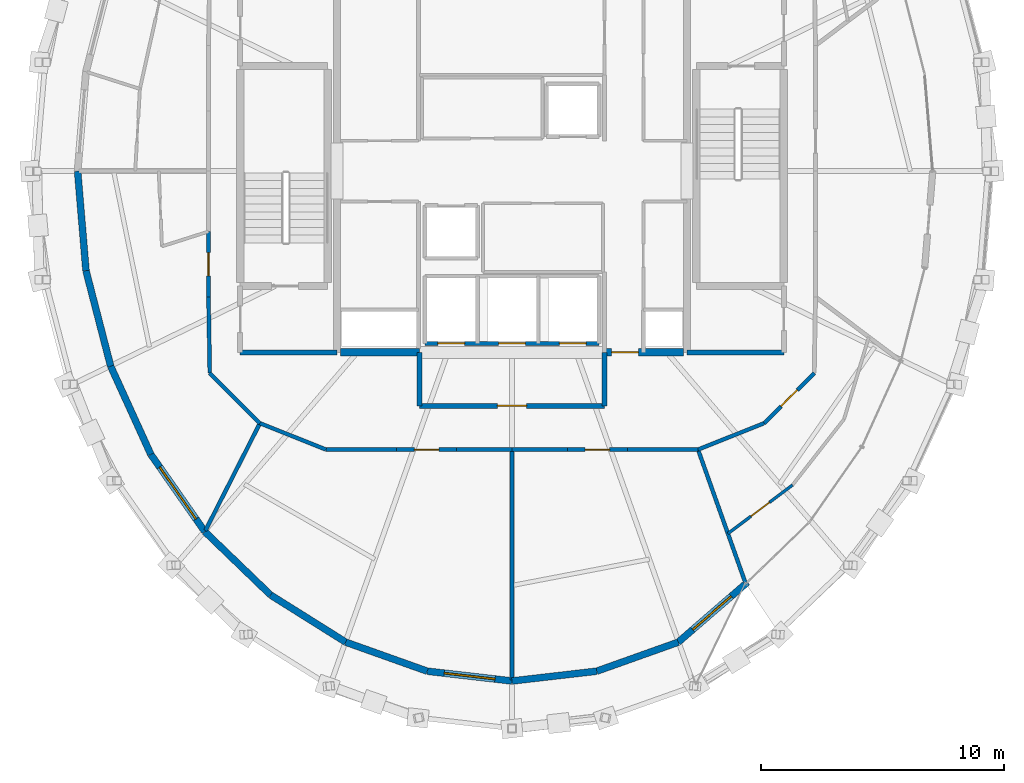
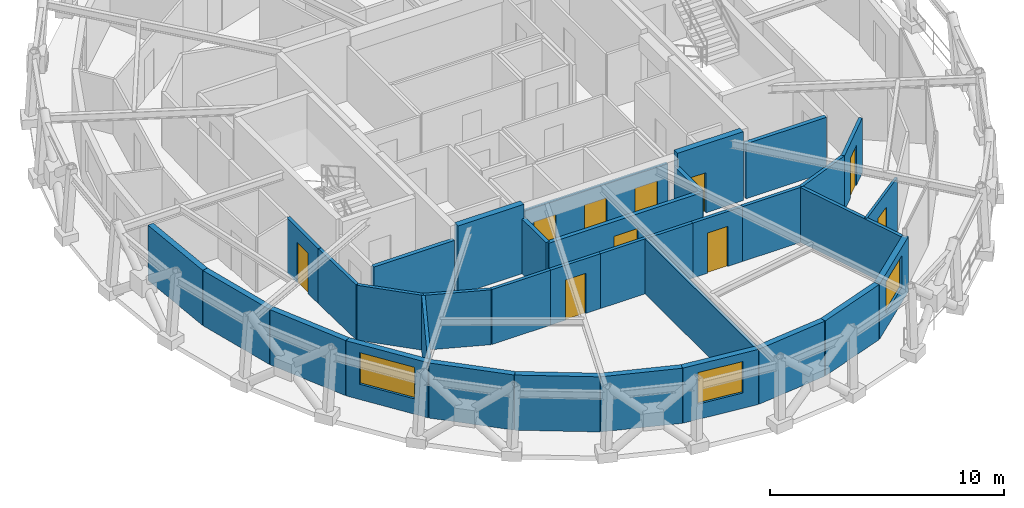
# One storey, part 11 of 15: 35 walls, 10 doors, 3 windows, 13 openings.
"""IFC4 building model written with IfcOpenShell, lengths in metres."""

from ifc_helpers import new_model, si_unit, direction, frame, frame_2d, origin, place, context, subcontext, project, spatial, rectangle, extrude, material, layer, layer_set, type_object, element, fill, save


model = new_model("IFC4")

# Units and contexts
model_context = context("Model", 3, precision=1e-05, world=origin(), true_north=direction((0.0, 1.0)))
body_context = subcontext(model_context, "Body", "Model", "MODEL_VIEW")
ifc_project = project(units=[si_unit("LENGTHUNIT", "METRE"), si_unit("AREAUNIT", "SQUARE_METRE"), si_unit("VOLUMEUNIT", "CUBIC_METRE"), si_unit("PLANEANGLEUNIT", "RADIAN"), si_unit("MASSUNIT", "GRAM", prefix="KILO")], contexts=[model_context])

# Site, building, storey
site_placement = place(None, origin())
site = spatial("IfcSite", under=ifc_project, at=site_placement, CompositionType="ELEMENT")
building_placement = place(site_placement, origin())
building = spatial("IfcBuilding", under=site, at=building_placement, Name="Veldorina Hangang Commons", CompositionType="ELEMENT")
storey_placement = place(building_placement, frame((0.0, 0.0, 290.39990234375)))
storey = spatial("IfcBuildingStorey", under=building, at=storey_placement, Name="L76", CompositionType="ELEMENT", Elevation=290.39990234375)

# Wall
ifc_material_1 = material(Name="Concrete C50/60", Category="concrete")
ifc_layer_1 = layer(ifc_material_1, 0.300048828125)
ifc_layer_set_1 = layer_set([ifc_layer_1], Name="Concrete C50/60")
wall_type_1 = type_object("IfcWallType", Name="CW-RC300-C50", PredefinedType="SHEAR", material=ifc_layer_set_1)
wall_1_placement = place(storey_placement, frame((24.949951171875, 16.550048828125, 0.0), z_axis=(0.0, 0.0, 1.0), x_axis=(1.0, 0.0, 0.0)))
element("IfcWall", 1, at=wall_1_placement, inside=storey, type_object=wall_type_1, Name="L76 south-west core shear wall", PredefinedType="SHEAR", context=body_context, shape_type="SweptSolid", body=[
    extrude(rectangle(XDim=3.25, YDim=0.300048828125, at=frame_2d((1.625, 0.0))), origin(), (0.0, 0.0, 1.0), 3.60009765625),
])

# Wall, opening, door
wall_2_placement = place(storey_placement, frame((35.800048828125, 16.550048828125, 0.0), z_axis=(0.0, 0.0, 1.0), x_axis=(1.0, 0.0, 0.0)))
wall_2 = element("IfcWall", 2, at=wall_2_placement, inside=storey, type_object=wall_type_1, Name="L76 south-east core shear wall", PredefinedType="SHEAR", context=body_context, shape_type="SweptSolid", body=[
    extrude(rectangle(XDim=3.25, YDim=0.300048828125, at=frame_2d((1.625, 0.0))), origin(), (0.0, 0.0, 1.0), 3.60009765625),
])
opening_1_placement = place(wall_2_placement, frame((0.300048828125, 0.0, 0.0)))
opening_1 = element("IfcOpeningElement", 3, at=opening_1_placement, cuts=wall_2, Name="Opening D-08", PredefinedType="OPENING", context=body_context, shape_type="SweptSolid", body=[
    extrude(rectangle(XDim=1.10009765625, YDim=2.10009765625, at=frame_2d((0.550048828125, 1.050048828125))), frame((0.0, 0.16015625, 0.0), z_axis=(0.0, -1.0, 0.0), x_axis=(1.0, 0.0, 0.0)), (0.0, 0.0, 1.0), 0.320068359375),
])
ifc_material_2 = material(Name="Steel Fire-Rated Smoke Seal", Category="steel")
door_type_1 = type_object("IfcDoorType", Name="DR-FIRE-1100", OperationType="SINGLE_SWING_RIGHT", PredefinedType="DOOR", material=ifc_material_2)
door_1_placement = place(opening_1_placement, origin())
door_1 = element("IfcDoor", 4, at=door_1_placement, inside=storey, type_object=door_type_1, Name="L76 central lift lobby south corridor door", OperationType="SINGLE_SWING_RIGHT", OverallHeight=2.10009765625, OverallWidth=1.10009765625, PredefinedType="DOOR", context=body_context, shape_type="SweptSolid", body=[
    extrude(rectangle(XDim=1.10009765625, YDim=2.10009765625, at=frame_2d((0.550048828125, 1.050048828125))), frame((0.0, 0.02490234375, 0.0), z_axis=(0.0, -1.0, 0.0), x_axis=(1.0, 0.0, 0.0)), (0.0, 0.0, 1.0), 0.050048828125),
])
fill(opening_1, door_1)

# Walls
ifc_material_3 = material(Name="Stone Roman Travertine", Category="masonry")
ifc_layer_2 = layer(ifc_material_3, 0.280029296875)
ifc_layer_set_2 = layer_set([ifc_layer_2], Name="Stone Roman Travertine")
wall_type_2 = type_object("IfcWallType", Name="EW-TRAV-280", PredefinedType="STANDARD", material=ifc_layer_set_2)
wall_3_placement = place(storey_placement, frame((14.138671875, 24.0, 0.0), z_axis=(0.0, 0.0, 1.0), x_axis=(0.083636215003, -0.996496354002, 0.0)))
element("IfcWall", 5, at=wall_3_placement, inside=storey, type_object=wall_type_2, Name="L76 travertine facade wall 16", PredefinedType="STANDARD", context=body_context, shape_type="SweptSolid", body=[
    extrude(rectangle(XDim=4.104248046875, YDim=0.280029296875, at=frame_2d((2.05224609375, 0.0))), origin(), (0.0, 0.0, 1.0), 2.880126953125),
])
wall_4_placement = place(storey_placement, frame((14.48193359375, 19.91015625, 0.0), z_axis=(0.0, 0.0, 1.0), x_axis=(0.250207014881, -0.968192361932, 0.0)))
element("IfcWall", 6, at=wall_4_placement, inside=storey, type_object=wall_type_2, Name="L76 travertine facade wall 17", PredefinedType="STANDARD", context=body_context, shape_type="SweptSolid", body=[
    extrude(rectangle(XDim=4.06201171875, YDim=0.280029296875, at=frame_2d((2.031005859375, 0.0))), origin(), (0.0, 0.0, 1.0), 2.880126953125),
])
wall_5_placement = place(storey_placement, frame((15.498291015625, 15.977294921875, 0.0), z_axis=(0.0, 0.0, 1.0), x_axis=(0.414454053433, -0.910070237725, 0.0)))
element("IfcWall", 7, at=wall_5_placement, inside=storey, type_object=wall_type_2, Name="L76 travertine facade wall 18", PredefinedType="STANDARD", context=body_context, shape_type="SweptSolid", body=[
    extrude(rectangle(XDim=3.982666015625, YDim=0.280029296875, at=frame_2d((1.9912109375, 0.0))), origin(), (0.0, 0.0, 1.0), 2.880126953125),
])

# Wall, opening, window
wall_6_placement = place(storey_placement, frame((17.14892578125, 12.352783203125, 0.0), z_axis=(0.0, 0.0, 1.0), x_axis=(0.573022646369, -0.819539533365, 0.0)))
wall_6 = element("IfcWall", 8, at=wall_6_placement, inside=storey, type_object=wall_type_2, Name="L76 travertine facade wall 19", PredefinedType="STANDARD", context=body_context, shape_type="SweptSolid", body=[
    extrude(rectangle(XDim=3.876220703125, YDim=0.280029296875, at=frame_2d((1.93798828125, 0.0))), origin(), (0.0, 0.0, 1.0), 2.880126953125),
])
opening_2_placement = place(wall_6_placement, frame((0.63818359375, 0.0, 0.800048828125)))
opening_2 = element("IfcOpeningElement", 9, at=opening_2_placement, cuts=wall_6, Name="Opening W-02", PredefinedType="OPENING", context=body_context, shape_type="SweptSolid", body=[
    extrude(rectangle(XDim=2.60009765625, YDim=1.64990234375, at=frame_2d((1.300048828125, 0.824951171875))), frame((0.0, 0.14990234375, 0.0), z_axis=(0.0, -1.0, 0.0), x_axis=(1.0, 0.0, 0.0)), (0.0, 0.0, 1.0), 0.300048828125),
])
ifc_material_4 = material(Name="Glass Low-E Triple IGU", Category="glass")
window_type_1 = type_object("IfcWindowType", Name="WIN-TWR-2600", PartitioningType="SINGLE_PANEL", PredefinedType="WINDOW", material=ifc_material_4)
window_1_placement = place(opening_2_placement, origin())
window_1 = element("IfcWindow", 10, at=window_1_placement, inside=storey, type_object=window_type_1, Name="L76 facade window 19", OverallHeight=1.64990234375, OverallWidth=2.60009765625, PartitioningType="SINGLE_PANEL", PredefinedType="WINDOW", context=body_context, shape_type="SweptSolid", body=[
    extrude(rectangle(XDim=2.60009765625, YDim=1.64990234375, at=frame_2d((1.300048828125, 0.824951171875))), frame((0.0, 0.030029296875, 0.0), z_axis=(0.0, -1.0, 0.0), x_axis=(1.0, 0.0, 0.0)), (0.0, 0.0, 1.0), 0.06005859375),
])
fill(opening_2, window_1)

# Walls
wall_7_placement = place(storey_placement, frame((19.3701171875, 9.176025390625, 0.0), z_axis=(0.0, 0.0, 1.0), x_axis=(0.720234855693, -0.693730316943, 0.0)))
element("IfcWall", 11, at=wall_7_placement, inside=storey, type_object=wall_type_2, Name="L76 travertine facade wall 20", PredefinedType="STANDARD", context=body_context, shape_type="SweptSolid", body=[
    extrude(rectangle(XDim=3.75830078125, YDim=0.280029296875, at=frame_2d((1.879150390625, 0.0))), origin(), (0.0, 0.0, 1.0), 2.880126953125),
])
wall_8_placement = place(storey_placement, frame((22.076904296875, 6.56884765625, 0.0), z_axis=(0.0, 0.0, 1.0), x_axis=(0.847094045547, -0.531443014818, 0.0)))
element("IfcWall", 12, at=wall_8_placement, inside=storey, type_object=wall_type_2, Name="L76 travertine facade wall 21", PredefinedType="STANDARD", context=body_context, shape_type="SweptSolid", body=[
    extrude(rectangle(XDim=3.645263671875, YDim=0.280029296875, at=frame_2d((1.82275390625, 0.0))), origin(), (0.0, 0.0, 1.0), 2.880126953125),
])
wall_9_placement = place(storey_placement, frame((25.164794921875, 4.631591796875, 0.0), z_axis=(0.0, 0.0, 1.0), x_axis=(0.94207690039, -0.335396949527, 0.0)))
element("IfcWall", 13, at=wall_9_placement, inside=storey, type_object=wall_type_2, Name="L76 travertine facade wall 22", PredefinedType="STANDARD", context=body_context, shape_type="SweptSolid", body=[
    extrude(rectangle(XDim=3.556640625, YDim=0.280029296875, at=frame_2d((1.7783203125, 0.0))), origin(), (0.0, 0.0, 1.0), 2.880126953125),
])

# Wall, opening, window
wall_10_placement = place(storey_placement, frame((28.515380859375, 3.438720703125, 0.0), z_axis=(0.0, 0.0, 1.0), x_axis=(0.993384223019, -0.114838083653, 0.0)))
wall_10 = element("IfcWall", 14, at=wall_10_placement, inside=storey, type_object=wall_type_2, Name="L76 travertine facade wall 23", PredefinedType="STANDARD", context=body_context, shape_type="SweptSolid", body=[
    extrude(rectangle(XDim=3.5078125, YDim=0.280029296875, at=frame_2d((1.75390625, 0.0))), origin(), (0.0, 0.0, 1.0), 2.880126953125),
])
opening_3_placement = place(wall_10_placement, frame((0.703857421875, 0.0, 0.800048828125)))
opening_3 = element("IfcOpeningElement", 15, at=opening_3_placement, cuts=wall_10, Name="Opening W-03", PredefinedType="OPENING", context=body_context, shape_type="SweptSolid", body=[
    extrude(rectangle(XDim=2.10009765625, YDim=1.64990234375, at=frame_2d((1.050048828125, 0.824951171875))), frame((0.0, 0.14990234375, 0.0), z_axis=(0.0, -1.0, 0.0), x_axis=(1.0, 0.0, 0.0)), (0.0, 0.0, 1.0), 0.300048828125),
])
window_type_2 = type_object("IfcWindowType", Name="WIN-TWR-2100", PartitioningType="SINGLE_PANEL", PredefinedType="WINDOW", material=ifc_material_4)
window_2_placement = place(opening_3_placement, origin())
window_2 = element("IfcWindow", 16, at=window_2_placement, inside=storey, type_object=window_type_2, Name="L76 facade window 23", OverallHeight=1.64990234375, OverallWidth=2.10009765625, PartitioningType="SINGLE_PANEL", PredefinedType="WINDOW", context=body_context, shape_type="SweptSolid", body=[
    extrude(rectangle(XDim=2.10009765625, YDim=1.64990234375, at=frame_2d((1.050048828125, 0.824951171875))), frame((0.0, 0.030029296875, 0.0), z_axis=(0.0, -1.0, 0.0), x_axis=(1.0, 0.0, 0.0)), (0.0, 0.0, 1.0), 0.06005859375),
])
fill(opening_3, window_2)

# Walls
wall_11_placement = place(storey_placement, frame((32.0, 3.035888671875, 0.0), z_axis=(0.0, 0.0, 1.0), x_axis=(0.993384223019, 0.114838083653, 0.0)))
element("IfcWall", 17, at=wall_11_placement, inside=storey, type_object=wall_type_2, Name="L76 travertine facade wall 24", PredefinedType="STANDARD", context=body_context, shape_type="SweptSolid", body=[
    extrude(rectangle(XDim=3.5078125, YDim=0.280029296875, at=frame_2d((1.75390625, 0.0))), origin(), (0.0, 0.0, 1.0), 2.880126953125),
])
wall_12_placement = place(storey_placement, frame((35.484619140625, 3.438720703125, 0.0), z_axis=(0.0, 0.0, 1.0), x_axis=(0.94207690039, 0.335396949527, 0.0)))
element("IfcWall", 18, at=wall_12_placement, inside=storey, type_object=wall_type_2, Name="L76 travertine facade wall 25", PredefinedType="STANDARD", context=body_context, shape_type="SweptSolid", body=[
    extrude(rectangle(XDim=3.556640625, YDim=0.280029296875, at=frame_2d((1.7783203125, 0.0))), origin(), (0.0, 0.0, 1.0), 2.880126953125),
])

# Wall, opening, window
wall_13_placement = place(storey_placement, frame((38.835205078125, 4.631591796875, 0.0), z_axis=(0.0, 0.0, 1.0), x_axis=(0.756185346013, 0.654357488286, 0.0)))
wall_13 = element("IfcWall", 19, at=wall_13_placement, inside=storey, type_object=wall_type_2, Name="L76 travertine facade wall 26", PredefinedType="STANDARD", context=body_context, shape_type="SweptSolid", body=[
    extrude(rectangle(XDim=3.76416015625, YDim=0.280029296875, at=frame_2d((1.882080078125, 0.0))), origin(), (0.0, 0.0, 1.0), 2.880126953125),
])
opening_4_placement = place(wall_13_placement, frame((0.7861328125, 0.0, 0.800048828125)))
opening_4 = element("IfcOpeningElement", 20, at=opening_4_placement, cuts=wall_13, Name="Opening W-03", PredefinedType="OPENING", context=body_context, shape_type="SweptSolid", body=[
    extrude(rectangle(XDim=2.10009765625, YDim=1.64990234375, at=frame_2d((1.050048828125, 0.824951171875))), frame((0.0, 0.14990234375, 0.0), z_axis=(0.0, -1.0, 0.0), x_axis=(1.0, 0.0, 0.0)), (0.0, 0.0, 1.0), 0.300048828125),
])
window_3_placement = place(opening_4_placement, origin())
window_3 = element("IfcWindow", 21, at=window_3_placement, inside=storey, type_object=window_type_2, Name="L76 facade window 26", OverallHeight=1.64990234375, OverallWidth=2.10009765625, PartitioningType="SINGLE_PANEL", PredefinedType="WINDOW", context=body_context, shape_type="SweptSolid", body=[
    extrude(rectangle(XDim=2.10009765625, YDim=1.64990234375, at=frame_2d((1.050048828125, 0.824951171875))), frame((0.0, 0.030029296875, 0.0), z_axis=(0.0, -1.0, 0.0), x_axis=(1.0, 0.0, 0.0)), (0.0, 0.0, 1.0), 0.06005859375),
])
fill(opening_4, window_3)

# Wall, openings, doors
ifc_material_5 = material(Name="Gypsum Fire-Rated Twin Stud Wall", Category="gypsum")
ifc_layer_3 = layer(ifc_material_5, 0.159912109375)
ifc_layer_set_3 = layer_set([ifc_layer_3], Name="Gypsum Fire-Rated Twin Stud Wall")
wall_type_3 = type_object("IfcWallType", Name="WL-FIRE-160", PredefinedType="SOLIDWALL", material=ifc_layer_set_3)
wall_14_placement = place(storey_placement, frame((28.419921875, 16.919921875, 0.0), z_axis=(0.0, 0.0, 1.0), x_axis=(1.0, 0.0, 0.0)))
wall_14 = element("IfcWall", 22, at=wall_14_placement, inside=storey, type_object=wall_type_3, Name="L76 Emergency front shaft wall 023", PredefinedType="SOLIDWALL", context=body_context, shape_type="SweptSolid", body=[
    extrude(rectangle(XDim=7.16015625, YDim=0.159912109375, at=frame_2d((3.580078125, 0.0))), origin(), (0.0, 0.0, 1.0), 2.8701171875),
])
opening_5_placement = place(wall_14_placement, frame((0.530029296875, 0.0, 0.0)))
opening_5 = element("IfcOpeningElement", 23, at=opening_5_placement, cuts=wall_14, Name="Opening LD-03", PredefinedType="OPENING", context=body_context, shape_type="SweptSolid", body=[
    extrude(rectangle(XDim=1.10009765625, YDim=2.14990234375, at=frame_2d((0.550048828125, 1.074951171875))), frame((0.0, 0.08984375, 0.0), z_axis=(0.0, -1.0, 0.0), x_axis=(1.0, 0.0, 0.0)), (0.0, 0.0, 1.0), 0.179931640625),
])
opening_6_placement = place(wall_14_placement, frame((3.030029296875, 0.0, 0.0)))
opening_6 = element("IfcOpeningElement", 24, at=opening_6_placement, cuts=wall_14, Name="Opening LD-03", PredefinedType="OPENING", context=body_context, shape_type="SweptSolid", body=[
    extrude(rectangle(XDim=1.10009765625, YDim=2.14990234375, at=frame_2d((0.550048828125, 1.074951171875))), frame((0.0, 0.08984375, 0.0), z_axis=(0.0, -1.0, 0.0), x_axis=(1.0, 0.0, 0.0)), (0.0, 0.0, 1.0), 0.179931640625),
])
opening_7_placement = place(wall_14_placement, frame((5.530029296875, 0.0, 0.0)))
opening_7 = element("IfcOpeningElement", 25, at=opening_7_placement, cuts=wall_14, Name="Opening LD-03", PredefinedType="OPENING", context=body_context, shape_type="SweptSolid", body=[
    extrude(rectangle(XDim=1.10009765625, YDim=2.14990234375, at=frame_2d((0.550048828125, 1.074951171875))), frame((0.0, 0.08984375, 0.0), z_axis=(0.0, -1.0, 0.0), x_axis=(1.0, 0.0, 0.0)), (0.0, 0.0, 1.0), 0.179931640625),
])
ifc_material_6 = material(Name="Stainless Steel Firefighting Lift Door", Category="steel")
door_type_2 = type_object("IfcDoorType", Name="DR-LIFT-FF1100", OperationType="SLIDING_TO_RIGHT", PredefinedType="DOOR", material=ifc_material_6)
door_2_placement = place(opening_5_placement, origin())
door_2 = element("IfcDoor", 26, at=door_2_placement, inside=storey, type_object=door_type_2, Name="L76 Emergency lift FFL-1 landing door 008", OperationType="SLIDING_TO_RIGHT", OverallHeight=2.14990234375, OverallWidth=1.10009765625, PredefinedType="DOOR", context=body_context, shape_type="SweptSolid", body=[
    extrude(rectangle(XDim=1.10009765625, YDim=2.14990234375, at=frame_2d((0.550048828125, 1.074951171875))), frame((0.0, 0.02490234375, 0.0), z_axis=(0.0, -1.0, 0.0), x_axis=(1.0, 0.0, 0.0)), (0.0, 0.0, 1.0), 0.050048828125),
])
fill(opening_5, door_2)
door_3_placement = place(opening_6_placement, origin())
door_3 = element("IfcDoor", 27, at=door_3_placement, inside=storey, type_object=door_type_2, Name="L76 Emergency lift FFL-2 landing door 009", OperationType="SLIDING_TO_RIGHT", OverallHeight=2.14990234375, OverallWidth=1.10009765625, PredefinedType="DOOR", context=body_context, shape_type="SweptSolid", body=[
    extrude(rectangle(XDim=1.10009765625, YDim=2.14990234375, at=frame_2d((0.550048828125, 1.074951171875))), frame((0.0, 0.02490234375, 0.0), z_axis=(0.0, -1.0, 0.0), x_axis=(1.0, 0.0, 0.0)), (0.0, 0.0, 1.0), 0.050048828125),
])
fill(opening_6, door_3)
door_4_placement = place(opening_7_placement, origin())
door_4 = element("IfcDoor", 28, at=door_4_placement, inside=storey, type_object=door_type_2, Name="L76 Emergency lift EVL-1 landing door 010", OperationType="SLIDING_TO_RIGHT", OverallHeight=2.14990234375, OverallWidth=1.10009765625, PredefinedType="DOOR", context=body_context, shape_type="SweptSolid", body=[
    extrude(rectangle(XDim=1.10009765625, YDim=2.14990234375, at=frame_2d((0.550048828125, 1.074951171875))), frame((0.0, 0.02490234375, 0.0), z_axis=(0.0, -1.0, 0.0), x_axis=(1.0, 0.0, 0.0)), (0.0, 0.0, 1.0), 0.050048828125),
])
fill(opening_7, door_4)

# Wall, opening, door
wall_15_placement = place(storey_placement, frame((19.52001953125, 21.517578125, 0.0), z_axis=(0.0, 0.0, 1.0), x_axis=(0.0, -1.0, 0.0)))
wall_15 = element("IfcWall", 29, at=wall_15_placement, inside=storey, type_object=wall_type_3, Name="L76 Compact collar outer wall 17 067", PredefinedType="SOLIDWALL", context=body_context, shape_type="SweptSolid", body=[
    extrude(rectangle(XDim=2.68701171875, YDim=0.159912109375, at=frame_2d((1.343505859375, 0.0))), origin(), (0.0, 0.0, 1.0), 2.8701171875),
])
opening_8_placement = place(wall_15_placement, frame((0.868408203125, 0.0, 0.0)))
opening_8 = element("IfcOpeningElement", 30, at=opening_8_placement, cuts=wall_15, Name="Opening D-03", PredefinedType="OPENING", context=body_context, shape_type="SweptSolid", body=[
    extrude(rectangle(XDim=0.949951171875, YDim=2.10009765625, at=frame_2d((0.47509765625, 1.050048828125))), frame((0.0, 0.08984375, 0.0), z_axis=(0.0, -1.0, 0.0), x_axis=(1.0, 0.0, 0.0)), (0.0, 0.0, 1.0), 0.179931640625),
])
ifc_material_7 = material(Name="Timber Fire-Rated Entrance Core", Category="wood")
door_type_3 = type_object("IfcDoorType", Name="DR-UNIT-950", OperationType="SINGLE_SWING_RIGHT", PredefinedType="DOOR", material=ifc_material_7)
door_5_placement = place(opening_8_placement, origin())
door_5 = element("IfcDoor", 31, at=door_5_placement, inside=storey, type_object=door_type_3, Name="L76 Studio 5 entrance door 030", OperationType="SINGLE_SWING_RIGHT", OverallHeight=2.10009765625, OverallWidth=0.949951171875, PredefinedType="DOOR", context=body_context, shape_type="SweptSolid", body=[
    extrude(rectangle(XDim=0.949951171875, YDim=2.10009765625, at=frame_2d((0.47509765625, 1.050048828125))), frame((0.0, 0.02490234375, 0.0), z_axis=(0.0, -1.0, 0.0), x_axis=(1.0, 0.0, 0.0)), (0.0, 0.0, 1.0), 0.050048828125),
])
fill(opening_8, door_5)

# Walls
wall_16_placement = place(storey_placement, frame((19.52001953125, 18.83056640625, 0.0), z_axis=(0.0, 0.0, 1.0), x_axis=(0.016981035134, -0.999855811828, 0.0)))
element("IfcWall", 32, at=wall_16_placement, inside=storey, type_object=wall_type_3, Name="L76 Compact collar outer wall 18 068", PredefinedType="SOLIDWALL", context=body_context, shape_type="SweptSolid", body=[
    extrude(rectangle(XDim=3.13427734375, YDim=0.159912109375, at=frame_2d((1.567138671875, 0.0))), origin(), (0.0, 0.0, 1.0), 2.8701171875),
])
wall_17_placement = place(storey_placement, frame((19.5732421875, 15.69677734375, 0.0), z_axis=(0.0, 0.0, 1.0), x_axis=(0.707106781187, -0.707106781187, 0.0)))
element("IfcWall", 33, at=wall_17_placement, inside=storey, type_object=wall_type_3, Name="L76 Compact collar outer wall 19 069", PredefinedType="SOLIDWALL", context=body_context, shape_type="SweptSolid", body=[
    extrude(rectangle(XDim=2.915771484375, YDim=0.159912109375, at=frame_2d((1.4580078125, 0.0))), origin(), (0.0, 0.0, 1.0), 2.8701171875),
])
wall_18_placement = place(storey_placement, frame((21.635009765625, 13.635009765625, 0.0), z_axis=(0.0, 0.0, 1.0), x_axis=(0.92856882165, -0.371160266542, 0.0)))
element("IfcWall", 34, at=wall_18_placement, inside=storey, type_object=wall_type_3, Name="L76 Compact collar outer wall 20 070", PredefinedType="SOLIDWALL", context=body_context, shape_type="SweptSolid", body=[
    extrude(rectangle(XDim=2.923095703125, YDim=0.159912109375, at=frame_2d((1.46142578125, 0.0))), origin(), (0.0, 0.0, 1.0), 2.8701171875),
])
wall_19_placement = place(storey_placement, frame((24.349365234375, 12.550048828125, 0.0), z_axis=(0.0, 0.0, 1.0), x_axis=(1.0, 0.0, 0.0)))
element("IfcWall", 35, at=wall_19_placement, inside=storey, type_object=wall_type_3, Name="L76 Compact collar outer wall 21 071", PredefinedType="SOLIDWALL", context=body_context, shape_type="SweptSolid", body=[
    extrude(rectangle(XDim=2.907958984375, YDim=0.159912109375, at=frame_2d((1.4541015625, 0.0))), origin(), (0.0, 0.0, 1.0), 2.8701171875),
])

# Wall, opening, door
wall_20_placement = place(storey_placement, frame((27.25732421875, 12.550048828125, 0.0), z_axis=(0.0, 0.0, 1.0), x_axis=(1.0, 0.0, 0.0)))
wall_20 = element("IfcWall", 36, at=wall_20_placement, inside=storey, type_object=wall_type_3, Name="L76 Compact collar outer wall 22 072", PredefinedType="SOLIDWALL", context=body_context, shape_type="SweptSolid", body=[
    extrude(rectangle(XDim=2.465087890625, YDim=0.159912109375, at=frame_2d((1.232421875, 0.0))), origin(), (0.0, 0.0, 1.0), 2.8701171875),
])
opening_9_placement = place(wall_20_placement, frame((0.732666015625, 0.0, 0.0)))
opening_9 = element("IfcOpeningElement", 37, at=opening_9_placement, cuts=wall_20, Name="Opening D-05", PredefinedType="OPENING", context=body_context, shape_type="SweptSolid", body=[
    extrude(rectangle(XDim=1.0, YDim=2.10009765625, at=frame_2d((0.5, 1.050048828125))), frame((0.0, 0.08984375, 0.0), z_axis=(0.0, -1.0, 0.0), x_axis=(1.0, 0.0, 0.0)), (0.0, 0.0, 1.0), 0.179931640625),
])
ifc_material_8 = material(Name="Timber Solid Core Acoustic", Category="wood")
door_type_4 = type_object("IfcDoorType", Name="DR-INT-1000", OperationType="SINGLE_SWING_RIGHT", PredefinedType="DOOR", material=ifc_material_8)
door_6_placement = place(opening_9_placement, origin())
door_6 = element("IfcDoor", 38, at=door_6_placement, inside=storey, type_object=door_type_4, Name="L76 Floor Study Room 6 door 031", OperationType="SINGLE_SWING_LEFT", OverallHeight=2.10009765625, OverallWidth=1.0, PredefinedType="DOOR", context=body_context, shape_type="SweptSolid", body=[
    extrude(rectangle(XDim=1.0, YDim=2.10009765625, at=frame_2d((0.5, 1.050048828125))), frame((0.0, 0.02490234375, 0.0), z_axis=(0.0, -1.0, 0.0), x_axis=(1.0, 0.0, 0.0)), (0.0, 0.0, 1.0), 0.050048828125),
])
fill(opening_9, door_6)

# Walls
for number, where, z_axis, x_axis, name in (
    (39, (29.722412109375, 12.550048828125, 0.0), (0.0, 0.0, 1.0), (1.0, 0.0, 0.0), "L76 Compact collar outer wall 23 073"),
    (40, (32.0, 12.550048828125, 0.0), (0.0, 0.0, 1.0), (1.0, 0.0, 0.0), "L76 Compact collar outer wall 24 074"),
):
    element("IfcWall", number, at=place(storey_placement, frame(where, z_axis=z_axis, x_axis=x_axis)), inside=storey, type_object=wall_type_3, Name=name, PredefinedType="SOLIDWALL", context=body_context, shape_type="SweptSolid", body=[
        extrude(rectangle(XDim=2.277587890625, YDim=0.159912109375, at=frame_2d((1.138671875, 0.0))), origin(), (0.0, 0.0, 1.0), 2.8701171875),
    ])

# Wall, opening, door
wall_21_placement = place(storey_placement, frame((34.277587890625, 12.550048828125, 0.0), z_axis=(0.0, 0.0, 1.0), x_axis=(1.0, 0.0, 0.0)))
wall_21 = element("IfcWall", 41, at=wall_21_placement, inside=storey, type_object=wall_type_3, Name="L76 Compact collar outer wall 25 075", PredefinedType="SOLIDWALL", context=body_context, shape_type="SweptSolid", body=[
    extrude(rectangle(XDim=2.465087890625, YDim=0.159912109375, at=frame_2d((1.232421875, 0.0))), origin(), (0.0, 0.0, 1.0), 2.8701171875),
])
opening_10_placement = place(wall_21_placement, frame((0.732666015625, 0.0, 0.0)))
opening_10 = element("IfcOpeningElement", 42, at=opening_10_placement, cuts=wall_21, Name="Opening D-05", PredefinedType="OPENING", context=body_context, shape_type="SweptSolid", body=[
    extrude(rectangle(XDim=1.0, YDim=2.10009765625, at=frame_2d((0.5, 1.050048828125))), frame((0.0, 0.08984375, 0.0), z_axis=(0.0, -1.0, 0.0), x_axis=(1.0, 0.0, 0.0)), (0.0, 0.0, 1.0), 0.179931640625),
])
door_7_placement = place(opening_10_placement, origin())
door_7 = element("IfcDoor", 43, at=door_7_placement, inside=storey, type_object=door_type_4, Name="L76 Seminar Focus Room 7 door 032", OperationType="SINGLE_SWING_RIGHT", OverallHeight=2.10009765625, OverallWidth=1.0, PredefinedType="DOOR", context=body_context, shape_type="SweptSolid", body=[
    extrude(rectangle(XDim=1.0, YDim=2.10009765625, at=frame_2d((0.5, 1.050048828125))), frame((0.0, 0.02490234375, 0.0), z_axis=(0.0, -1.0, 0.0), x_axis=(1.0, 0.0, 0.0)), (0.0, 0.0, 1.0), 0.050048828125),
])
fill(opening_10, door_7)

# Walls
wall_22_placement = place(storey_placement, frame((36.74267578125, 12.550048828125, 0.0), z_axis=(0.0, 0.0, 1.0), x_axis=(1.0, 0.0, 0.0)))
element("IfcWall", 44, at=wall_22_placement, inside=storey, type_object=wall_type_3, Name="L76 Compact collar outer wall 26 076", PredefinedType="SOLIDWALL", context=body_context, shape_type="SweptSolid", body=[
    extrude(rectangle(XDim=2.907958984375, YDim=0.159912109375, at=frame_2d((1.4541015625, 0.0))), origin(), (0.0, 0.0, 1.0), 2.8701171875),
])
wall_23_placement = place(storey_placement, frame((39.650634765625, 12.550048828125, 0.0), z_axis=(0.0, 0.0, 1.0), x_axis=(0.92856882165, 0.371160266542, 0.0)))
element("IfcWall", 45, at=wall_23_placement, inside=storey, type_object=wall_type_3, Name="L76 Compact collar outer wall 27 077", PredefinedType="SOLIDWALL", context=body_context, shape_type="SweptSolid", body=[
    extrude(rectangle(XDim=2.923095703125, YDim=0.159912109375, at=frame_2d((1.46142578125, 0.0))), origin(), (0.0, 0.0, 1.0), 2.8701171875),
])

# Wall, opening, door
wall_24_placement = place(storey_placement, frame((42.364990234375, 13.635009765625, 0.0), z_axis=(0.0, 0.0, 1.0), x_axis=(0.707106781187, 0.707106781187, 0.0)))
wall_24 = element("IfcWall", 46, at=wall_24_placement, inside=storey, type_object=wall_type_3, Name="L76 Compact collar outer wall 28 078", PredefinedType="SOLIDWALL", context=body_context, shape_type="SweptSolid", body=[
    extrude(rectangle(XDim=2.915771484375, YDim=0.159912109375, at=frame_2d((1.4580078125, 0.0))), origin(), (0.0, 0.0, 1.0), 2.8701171875),
])
opening_11_placement = place(wall_24_placement, frame((0.98291015625, 0.0, 0.0)))
opening_11 = element("IfcOpeningElement", 47, at=opening_11_placement, cuts=wall_24, Name="Opening D-02", PredefinedType="OPENING", context=body_context, shape_type="SweptSolid", body=[
    extrude(rectangle(XDim=0.949951171875, YDim=2.10009765625, at=frame_2d((0.47509765625, 1.050048828125))), frame((0.0, 0.08984375, 0.0), z_axis=(0.0, -1.0, 0.0), x_axis=(1.0, 0.0, 0.0)), (0.0, 0.0, 1.0), 0.179931640625),
])
door_type_5 = type_object("IfcDoorType", Name="DR-INT-950", OperationType="SINGLE_SWING_LEFT", PredefinedType="DOOR", material=ifc_material_8)
door_8_placement = place(opening_11_placement, origin())
door_8 = element("IfcDoor", 48, at=door_8_placement, inside=storey, type_object=door_type_5, Name="L76 Linen drying store door 033", OperationType="SINGLE_SWING_LEFT", OverallHeight=2.10009765625, OverallWidth=0.949951171875, PredefinedType="DOOR", context=body_context, shape_type="SweptSolid", body=[
    extrude(rectangle(XDim=0.949951171875, YDim=2.10009765625, at=frame_2d((0.47509765625, 1.050048828125))), frame((0.0, 0.02490234375, 0.0), z_axis=(0.0, -1.0, 0.0), x_axis=(1.0, 0.0, 0.0)), (0.0, 0.0, 1.0), 0.050048828125),
])
fill(opening_11, door_8)

# Walls
wall_25_placement = place(storey_placement, frame((21.635009765625, 13.635009765625, 0.0), z_axis=(0.0, 0.0, 1.0), x_axis=(-0.452865456809, -0.891578868093, 0.0)))
element("IfcWall", 49, at=wall_25_placement, inside=storey, type_object=wall_type_3, Name="L76 Unit party wall 20 102", PredefinedType="SOLIDWALL", context=body_context, shape_type="SweptSolid", body=[
    extrude(rectangle(XDim=4.951171875, YDim=0.159912109375, at=frame_2d((2.4755859375, 0.0))), origin(), (0.0, 0.0, 1.0), 2.8701171875),
])
wall_26_placement = place(storey_placement, frame((32.0, 12.550048828125, 0.0), z_axis=(0.0, 0.0, 1.0), x_axis=(0.0, -1.0, 0.0)))
element("IfcWall", 50, at=wall_26_placement, inside=storey, type_object=wall_type_3, Name="L76 Unit party wall 24 103", PredefinedType="SOLIDWALL", context=body_context, shape_type="SweptSolid", body=[
    extrude(rectangle(XDim=9.46435546875, YDim=0.159912109375, at=frame_2d((4.732177734375, 0.0))), origin(), (0.0, 0.0, 1.0), 2.8701171875),
])
wall_27_placement = place(storey_placement, frame((39.650634765625, 12.550048828125, 0.0), z_axis=(0.0, 0.0, 1.0), x_axis=(0.335043691545, -0.942202592204, 0.0)))
element("IfcWall", 51, at=wall_27_placement, inside=storey, type_object=wall_type_3, Name="L76 Unit party wall 27 104", PredefinedType="SOLIDWALL", context=body_context, shape_type="SweptSolid", body=[
    extrude(rectangle(XDim=5.803955078125, YDim=0.159912109375, at=frame_2d((2.90185546875, 0.0))), origin(), (0.0, 0.0, 1.0), 2.8701171875),
])
ifc_material_9 = material(Name="Concrete Blockwork Fire Wall C30/37", Category="masonry")
ifc_layer_4 = layer(ifc_material_9, 0.199951171875)
ifc_layer_set_4 = layer_set([ifc_layer_4], Name="Concrete Blockwork Fire Wall C30/37")
wall_type_4 = type_object("IfcWallType", Name="WL-FIRE-200", PredefinedType="SOLIDWALL", material=ifc_layer_set_4)
for number, where, z_axis, x_axis, name in (
    (52, (20.820068359375, 16.550048828125, 0.0), (0.0, 0.0, 1.0), (1.0, 0.0, 0.0), "L76 West vestibule south wall 002"),
    (53, (39.199951171875, 16.550048828125, 0.0), (0.0, 0.0, 1.0), (1.0, 0.0, 0.0), "L76 SE core room south wall 008"),
):
    element("IfcWall", number, at=place(storey_placement, frame(where, z_axis=z_axis, x_axis=x_axis)), inside=storey, type_object=wall_type_4, Name=name, PredefinedType="SOLIDWALL", context=body_context, shape_type="SweptSolid", body=[
        extrude(rectangle(XDim=3.97998046875, YDim=0.199951171875, at=frame_2d((1.989990234375, 0.0))), origin(), (0.0, 0.0, 1.0), 2.8701171875),
    ])
for number, where, z_axis, x_axis, name in (
    (54, (28.199951171875, 14.35009765625, 0.0), (0.0, 0.0, 1.0), (0.0, 1.0, 0.0), "L76 FF lobby west wall 012"),
    (55, (35.800048828125, 14.35009765625, 0.0), (0.0, 0.0, 1.0), (0.0, 1.0, 0.0), "L76 FF lobby east wall 013"),
):
    element("IfcWall", number, at=place(storey_placement, frame(where, z_axis=z_axis, x_axis=x_axis)), inside=storey, type_object=wall_type_4, Name=name, PredefinedType="SOLIDWALL", context=body_context, shape_type="SweptSolid", body=[
        extrude(rectangle(XDim=2.199951171875, YDim=0.199951171875, at=frame_2d((1.10009765625, 0.0))), origin(), (0.0, 0.0, 1.0), 2.8701171875),
    ])

# Wall, opening, door
wall_28_placement = place(storey_placement, frame((28.199951171875, 14.35009765625, 0.0), z_axis=(0.0, 0.0, 1.0), x_axis=(1.0, 0.0, 0.0)))
wall_28 = element("IfcWall", 56, at=wall_28_placement, inside=storey, type_object=wall_type_4, Name="L76 FF lobby south wall 014", PredefinedType="SOLIDWALL", context=body_context, shape_type="SweptSolid", body=[
    extrude(rectangle(XDim=7.60009765625, YDim=0.199951171875, at=frame_2d((3.800048828125, 0.0))), origin(), (0.0, 0.0, 1.0), 2.8701171875),
])
opening_12_placement = place(wall_28_placement, frame((3.199951171875, 0.0, 0.0)))
opening_12 = element("IfcOpeningElement", 57, at=opening_12_placement, cuts=wall_28, Name="Opening D-09", PredefinedType="OPENING", context=body_context, shape_type="SweptSolid", body=[
    extrude(rectangle(XDim=1.199951171875, YDim=2.10009765625, at=frame_2d((0.60009765625, 1.050048828125))), frame((0.0, 0.10986328125, 0.0), z_axis=(0.0, -1.0, 0.0), x_axis=(1.0, 0.0, 0.0)), (0.0, 0.0, 1.0), 0.219970703125),
])
ifc_material_10 = material(Name="Steel Fire-Rated Corridor Door", Category="steel")
door_type_6 = type_object("IfcDoorType", Name="DR-FIRE-1200", OperationType="SINGLE_SWING_LEFT", PredefinedType="DOOR", material=ifc_material_10)
door_9_placement = place(opening_12_placement, origin())
door_9 = element("IfcDoor", 58, at=door_9_placement, inside=storey, type_object=door_type_6, Name="L76 FF lobby south corridor door 005", OperationType="SINGLE_SWING_LEFT", OverallHeight=2.10009765625, OverallWidth=1.199951171875, PredefinedType="DOOR", context=body_context, shape_type="SweptSolid", body=[
    extrude(rectangle(XDim=1.199951171875, YDim=2.10009765625, at=frame_2d((0.60009765625, 1.050048828125))), frame((0.0, 0.02490234375, 0.0), z_axis=(0.0, -1.0, 0.0), x_axis=(1.0, 0.0, 0.0)), (0.0, 0.0, 1.0), 0.050048828125),
])
fill(opening_12, door_9)

ifc_material_11 = material(Name="Gypsum Acoustic Stud Partition", Category="gypsum")
ifc_layer_5 = layer(ifc_material_11, 0.1201171875)
ifc_layer_set_5 = layer_set([ifc_layer_5], Name="Gypsum Acoustic Stud Partition")
wall_type_5 = type_object("IfcWallType", Name="WL-PART-120", PredefinedType="PARTITIONING", material=ifc_layer_set_5)
wall_29_placement = place(storey_placement, frame((40.87841796875, 9.097900390625, 0.0), z_axis=(0.0, 0.0, 1.0), x_axis=(0.79971765819, 0.600376271332, 0.0)))
wall_29 = element("IfcWall", 59, at=wall_29_placement, inside=storey, type_object=wall_type_5, Name="L76 Laundry split 0 105", PredefinedType="PARTITIONING", context=body_context, shape_type="SweptSolid", body=[
    extrude(rectangle(XDim=3.321533203125, YDim=0.1201171875, at=frame_2d((1.66064453125, 0.0))), origin(), (0.0, 0.0, 1.0), 2.8701171875),
])
opening_13_placement = place(wall_29_placement, frame((1.185791015625, 0.0, 0.0)))
opening_13 = element("IfcOpeningElement", 60, at=opening_13_placement, cuts=wall_29, Name="Opening D-02", PredefinedType="OPENING", context=body_context, shape_type="SweptSolid", body=[
    extrude(rectangle(XDim=0.949951171875, YDim=2.10009765625, at=frame_2d((0.47509765625, 1.050048828125))), frame((0.0, 0.070068359375, 0.0), z_axis=(0.0, -1.0, 0.0), x_axis=(1.0, 0.0, 0.0)), (0.0, 0.0, 1.0), 0.14013671875),
])
door_10_placement = place(opening_13_placement, origin())
door_10 = element("IfcDoor", 61, at=door_10_placement, inside=storey, type_object=door_type_5, Name="L76 Resident laundry inner door 034", OperationType="SINGLE_SWING_RIGHT", OverallHeight=2.10009765625, OverallWidth=0.949951171875, PredefinedType="DOOR", context=body_context, shape_type="SweptSolid", body=[
    extrude(rectangle(XDim=0.949951171875, YDim=2.10009765625, at=frame_2d((0.47509765625, 1.050048828125))), frame((0.0, 0.02490234375, 0.0), z_axis=(0.0, -1.0, 0.0), x_axis=(1.0, 0.0, 0.0)), (0.0, 0.0, 1.0), 0.050048828125),
])
fill(opening_13, door_10)

save(model, "model.ifc")
